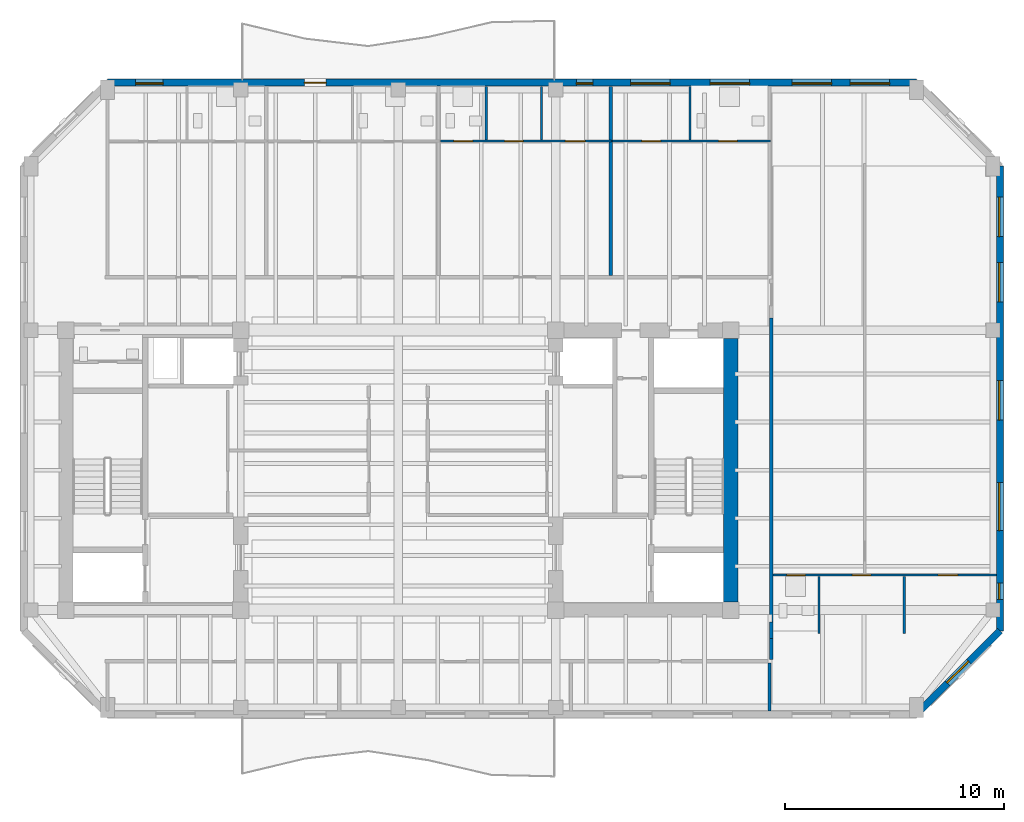
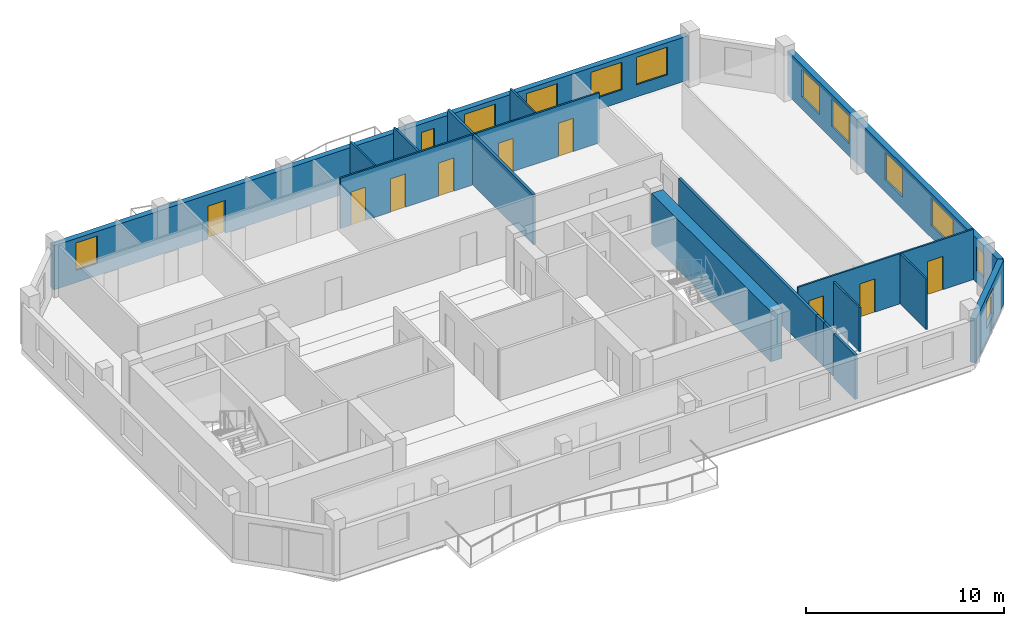
# One storey, part 5 of 9: 17 walls, 12 windows, 9 doors, 21 openings.
"""IFC4 building model written with IfcOpenShell, lengths in metres."""

from ifc_helpers import new_model, si_unit, direction, frame, frame_2d, origin, place, context, subcontext, project, spatial, rectangle, extrude, material, layer, layer_set, type_object, element, fill, save


model = new_model("IFC4")

# Units and contexts
model_context = context("Model", 3, precision=1e-05, world=origin(), true_north=direction((0.0, 1.0)))
body_context = subcontext(model_context, "Body", "Model", "MODEL_VIEW")
ifc_project = project(units=[si_unit("LENGTHUNIT", "METRE"), si_unit("AREAUNIT", "SQUARE_METRE"), si_unit("VOLUMEUNIT", "CUBIC_METRE"), si_unit("PLANEANGLEUNIT", "RADIAN"), si_unit("MASSUNIT", "GRAM", prefix="KILO")], contexts=[model_context])

# Site, building, storey
site_placement = place(None, origin())
site = spatial("IfcSite", under=ifc_project, at=site_placement, CompositionType="ELEMENT")
building_placement = place(site_placement, origin())
building = spatial("IfcBuilding", under=site, at=building_placement, Name="Kranthara Brick Stack", CompositionType="ELEMENT")
storey_placement = place(building_placement, frame((0.0, 0.0, 261.89990234375)))
storey = spatial("IfcBuildingStorey", under=building, at=storey_placement, Name="L69", CompositionType="ELEMENT", Elevation=261.89990234375)

# Wall, openings, door, windows
ifc_material_1 = material(Name="Warm buff clay brick masonry M15", Category="masonry")
ifc_layer_1 = layer(ifc_material_1, 0.320068359375)
ifc_layer_set_1 = layer_set([ifc_layer_1], Name="Warm buff clay brick masonry M15")
wall_type_1 = type_object("IfcWallType", Name="WL-BRK-UPPR-320", PredefinedType="STANDARD", material=ifc_layer_set_1)
wall_1_placement = place(storey_placement, frame((14.699951171875, 44.919921875, 0.0), z_axis=(0.0, 0.0, 1.0), x_axis=(1.0, 0.0, 0.0)))
wall_1 = element("IfcWall", 1, at=wall_1_placement, inside=storey, type_object=wall_type_1, Name="L69 Exterior Brick Facade Wall NORTH 1", PredefinedType="STANDARD", context=body_context, shape_type="SweptSolid", body=[
    extrude(rectangle(XDim=37.0, YDim=0.320068359375, at=frame_2d((18.5, 0.0))), origin(), (0.0, 0.0, 1.0), 2.72509765625),
])
opening_1_placement = place(wall_1_placement, frame((9.0, 0.0, 0.0)))
opening_1 = element("IfcOpeningElement", 2, at=opening_1_placement, cuts=wall_1, Name="Opening D03", PredefinedType="OPENING", context=body_context, shape_type="SweptSolid", body=[
    extrude(rectangle(XDim=1.0, YDim=2.02001953125, at=frame_2d((0.5, 1.010009765625))), frame((0.0, 0.169921875, 0.0), z_axis=(0.0, -1.0, 0.0), x_axis=(1.0, 0.0, 0.0)), (0.0, 0.0, 1.0), 0.340087890625),
])
opening_2_placement = place(wall_1_placement, frame((1.2919921875, 0.0, 0.75)))
opening_2 = element("IfcOpeningElement", 3, at=opening_2_placement, cuts=wall_1, Name="Opening WN09", PredefinedType="OPENING", context=body_context, shape_type="SweptSolid", body=[
    extrude(rectangle(XDim=1.25, YDim=1.699951171875, at=frame_2d((0.625, 0.85009765625))), frame((0.0, 0.169921875, 0.0), z_axis=(0.0, -1.0, 0.0), x_axis=(1.0, 0.0, 0.0)), (0.0, 0.0, 1.0), 0.340087890625),
])
opening_3_placement = place(wall_1_placement, frame((23.929931640625, 0.0, 0.75)))
opening_3 = element("IfcOpeningElement", 4, at=opening_3_placement, cuts=wall_1, Name="Opening WN07", PredefinedType="OPENING", context=body_context, shape_type="SweptSolid", body=[
    extrude(rectangle(XDim=1.800048828125, YDim=1.699951171875, at=frame_2d((0.89990234375, 0.85009765625))), frame((0.0, 0.169921875, 0.0), z_axis=(0.0, -1.0, 0.0), x_axis=(1.0, 0.0, 0.0)), (0.0, 0.0, 1.0), 0.340087890625),
])
opening_4_placement = place(wall_1_placement, frame((27.56298828125, 0.0, 0.75)))
opening_4 = element("IfcOpeningElement", 5, at=opening_4_placement, cuts=wall_1, Name="Opening WN07", PredefinedType="OPENING", context=body_context, shape_type="SweptSolid", body=[
    extrude(rectangle(XDim=1.800048828125, YDim=1.699951171875, at=frame_2d((0.89990234375, 0.85009765625))), frame((0.0, 0.169921875, 0.0), z_axis=(0.0, -1.0, 0.0), x_axis=(1.0, 0.0, 0.0)), (0.0, 0.0, 1.0), 0.340087890625),
])
opening_5_placement = place(wall_1_placement, frame((31.31494140625, 0.0, 0.75)))
opening_5 = element("IfcOpeningElement", 6, at=opening_5_placement, cuts=wall_1, Name="Opening WN07", PredefinedType="OPENING", context=body_context, shape_type="SweptSolid", body=[
    extrude(rectangle(XDim=1.800048828125, YDim=1.699951171875, at=frame_2d((0.89990234375, 0.85009765625))), frame((0.0, 0.169921875, 0.0), z_axis=(0.0, -1.0, 0.0), x_axis=(1.0, 0.0, 0.0)), (0.0, 0.0, 1.0), 0.340087890625),
])
opening_6_placement = place(wall_1_placement, frame((33.965087890625, 0.0, 0.75)))
opening_6 = element("IfcOpeningElement", 7, at=opening_6_placement, cuts=wall_1, Name="Opening WN07", PredefinedType="OPENING", context=body_context, shape_type="SweptSolid", body=[
    extrude(rectangle(XDim=1.800048828125, YDim=1.699951171875, at=frame_2d((0.89990234375, 0.85009765625))), frame((0.0, 0.169921875, 0.0), z_axis=(0.0, -1.0, 0.0), x_axis=(1.0, 0.0, 0.0)), (0.0, 0.0, 1.0), 0.340087890625),
])
opening_7_placement = place(wall_1_placement, frame((21.444091796875, 0.0, 0.75)))
opening_7 = element("IfcOpeningElement", 8, at=opening_7_placement, cuts=wall_1, Name="Opening WN13", PredefinedType="OPENING", context=body_context, shape_type="SweptSolid", body=[
    extrude(rectangle(XDim=0.75, YDim=1.449951171875, at=frame_2d((0.375, 0.72509765625))), frame((0.0, 0.169921875, 0.0), z_axis=(0.0, -1.0, 0.0), x_axis=(1.0, 0.0, 0.0)), (0.0, 0.0, 1.0), 0.340087890625),
])
ifc_material_2 = material(Name="Bronze anodised aluminium and laminated glass", Category="aluminium")
door_type_1 = type_object("IfcDoorType", Name="DR-BALC-1000", OperationType="NOTDEFINED", PredefinedType="DOOR", material=ifc_material_2)
door_1_placement = place(opening_1_placement, origin())
door_1 = element("IfcDoor", 9, at=door_1_placement, inside=storey, type_object=door_type_1, Name="L69 North Balcony Terrace Door", OperationType="SINGLE_SWING_RIGHT", OverallHeight=2.02001953125, OverallWidth=1.0, PredefinedType="DOOR", context=body_context, shape_type="SweptSolid", body=[
    extrude(rectangle(XDim=1.0, YDim=2.02001953125, at=frame_2d((0.5, 1.010009765625))), frame((0.0, 0.02490234375, 0.0), z_axis=(0.0, -1.0, 0.0), x_axis=(1.0, 0.0, 0.0)), (0.0, 0.0, 1.0), 0.050048828125),
])
fill(opening_1, door_1)
ifc_material_3 = material(Name="Double-glazed low-E solar control glass", Category="glass")
window_type_1 = type_object("IfcWindowType", Name="WN-CAS-750x1450", PartitioningType="SINGLE_PANEL", PredefinedType="WINDOW", material=ifc_material_3)
window_1_placement = place(opening_7_placement, origin())
window_1 = element("IfcWindow", 10, at=window_1_placement, inside=storey, type_object=window_type_1, Name="L69 North Deep-Set Casement Window 06", OverallHeight=1.449951171875, OverallWidth=0.75, PartitioningType="SINGLE_PANEL", PredefinedType="WINDOW", context=body_context, shape_type="SweptSolid", body=[
    extrude(rectangle(XDim=0.75, YDim=1.449951171875, at=frame_2d((0.375, 0.72509765625))), frame((0.0, -0.010009765625, 0.0), z_axis=(0.0, -1.0, 0.0), x_axis=(1.0, 0.0, 0.0)), (0.0, 0.0, 1.0), 0.06005859375),
])
fill(opening_7, window_1)
ifc_material_4 = material(Name="Double-glazed low-E solar control glass", Category="glass")
window_type_2 = type_object("IfcWindowType", Name="WN-RES-1250x1850", PartitioningType="SINGLE_PANEL", PredefinedType="WINDOW", material=ifc_material_4)
window_2_placement = place(opening_2_placement, origin())
window_2 = element("IfcWindow", 11, at=window_2_placement, inside=storey, type_object=window_type_2, Name="L69 North Deep-Set Brick Window 01", OverallHeight=1.699951171875, OverallWidth=1.25, PartitioningType="SINGLE_PANEL", PredefinedType="WINDOW", context=body_context, shape_type="SweptSolid", body=[
    extrude(rectangle(XDim=1.25, YDim=1.699951171875, at=frame_2d((0.625, 0.85009765625))), frame((0.0, -0.010009765625, 0.0), z_axis=(0.0, -1.0, 0.0), x_axis=(1.0, 0.0, 0.0)), (0.0, 0.0, 1.0), 0.06005859375),
])
fill(opening_2, window_2)
ifc_material_5 = material(Name="Double-glazed low-E solar control glass", Category="glass")
window_type_3 = type_object("IfcWindowType", Name="WN-RES-1800x1850", PartitioningType="DOUBLE_PANEL_VERTICAL", PredefinedType="WINDOW", material=ifc_material_5)
window_3_placement = place(opening_3_placement, origin())
window_3 = element("IfcWindow", 12, at=window_3_placement, inside=storey, type_object=window_type_3, Name="L69 North Deep-Set Brick Window 02", OverallHeight=1.699951171875, OverallWidth=1.800048828125, PartitioningType="SINGLE_PANEL", PredefinedType="WINDOW", context=body_context, shape_type="SweptSolid", body=[
    extrude(rectangle(XDim=1.800048828125, YDim=1.699951171875, at=frame_2d((0.89990234375, 0.85009765625))), frame((0.0, -0.010009765625, 0.0), z_axis=(0.0, -1.0, 0.0), x_axis=(1.0, 0.0, 0.0)), (0.0, 0.0, 1.0), 0.06005859375),
])
fill(opening_3, window_3)
window_4_placement = place(opening_4_placement, origin())
window_4 = element("IfcWindow", 13, at=window_4_placement, inside=storey, type_object=window_type_3, Name="L69 North Deep-Set Brick Window 03", OverallHeight=1.699951171875, OverallWidth=1.800048828125, PartitioningType="SINGLE_PANEL", PredefinedType="WINDOW", context=body_context, shape_type="SweptSolid", body=[
    extrude(rectangle(XDim=1.800048828125, YDim=1.699951171875, at=frame_2d((0.89990234375, 0.85009765625))), frame((0.0, -0.010009765625, 0.0), z_axis=(0.0, -1.0, 0.0), x_axis=(1.0, 0.0, 0.0)), (0.0, 0.0, 1.0), 0.06005859375),
])
fill(opening_4, window_4)
window_5_placement = place(opening_5_placement, origin())
window_5 = element("IfcWindow", 14, at=window_5_placement, inside=storey, type_object=window_type_3, Name="L69 North Deep-Set Brick Window 04", OverallHeight=1.699951171875, OverallWidth=1.800048828125, PartitioningType="SINGLE_PANEL", PredefinedType="WINDOW", context=body_context, shape_type="SweptSolid", body=[
    extrude(rectangle(XDim=1.800048828125, YDim=1.699951171875, at=frame_2d((0.89990234375, 0.85009765625))), frame((0.0, -0.010009765625, 0.0), z_axis=(0.0, -1.0, 0.0), x_axis=(1.0, 0.0, 0.0)), (0.0, 0.0, 1.0), 0.06005859375),
])
fill(opening_5, window_5)
window_6_placement = place(opening_6_placement, origin())
window_6 = element("IfcWindow", 15, at=window_6_placement, inside=storey, type_object=window_type_3, Name="L69 North Deep-Set Brick Window 05", OverallHeight=1.699951171875, OverallWidth=1.800048828125, PartitioningType="SINGLE_PANEL", PredefinedType="WINDOW", context=body_context, shape_type="SweptSolid", body=[
    extrude(rectangle(XDim=1.800048828125, YDim=1.699951171875, at=frame_2d((0.89990234375, 0.85009765625))), frame((0.0, -0.010009765625, 0.0), z_axis=(0.0, -1.0, 0.0), x_axis=(1.0, 0.0, 0.0)), (0.0, 0.0, 1.0), 0.06005859375),
])
fill(opening_6, window_6)

# Wall, openings, windows
wall_2_placement = place(storey_placement, frame((55.52001953125, 41.10009765625, 0.0), z_axis=(0.0, 0.0, 1.0), x_axis=(0.0, -1.0, 0.0)))
wall_2 = element("IfcWall", 16, at=wall_2_placement, inside=storey, type_object=wall_type_1, Name="L69 Exterior Brick Facade Wall EAST 1", PredefinedType="STANDARD", context=body_context, shape_type="SweptSolid", body=[
    extrude(rectangle(XDim=21.25, YDim=0.320068359375, at=frame_2d((10.625, 0.0))), origin(), (0.0, 0.0, 1.0), 2.72509765625),
])
opening_8_placement = place(wall_2_placement, frame((1.4189453125, 0.0, 0.75)))
opening_8 = element("IfcOpeningElement", 17, at=opening_8_placement, cuts=wall_2, Name="Opening WN07", PredefinedType="OPENING", context=body_context, shape_type="SweptSolid", body=[
    extrude(rectangle(XDim=1.800048828125, YDim=1.699951171875, at=frame_2d((0.89990234375, 0.85009765625))), frame((0.0, 0.169921875, 0.0), z_axis=(0.0, -1.0, 0.0), x_axis=(1.0, 0.0, 0.0)), (0.0, 0.0, 1.0), 0.340087890625),
])
opening_9_placement = place(wall_2_placement, frame((4.406005859375, 0.0, 0.75)))
opening_9 = element("IfcOpeningElement", 18, at=opening_9_placement, cuts=wall_2, Name="Opening WN07", PredefinedType="OPENING", context=body_context, shape_type="SweptSolid", body=[
    extrude(rectangle(XDim=1.800048828125, YDim=1.699951171875, at=frame_2d((0.89990234375, 0.85009765625))), frame((0.0, 0.169921875, 0.0), z_axis=(0.0, -1.0, 0.0), x_axis=(1.0, 0.0, 0.0)), (0.0, 0.0, 1.0), 0.340087890625),
])
opening_10_placement = place(wall_2_placement, frame((9.806884765625, 0.0, 0.75)))
opening_10 = element("IfcOpeningElement", 19, at=opening_10_placement, cuts=wall_2, Name="Opening WN07", PredefinedType="OPENING", context=body_context, shape_type="SweptSolid", body=[
    extrude(rectangle(XDim=1.800048828125, YDim=1.699951171875, at=frame_2d((0.89990234375, 0.85009765625))), frame((0.0, 0.169921875, 0.0), z_axis=(0.0, -1.0, 0.0), x_axis=(1.0, 0.0, 0.0)), (0.0, 0.0, 1.0), 0.340087890625),
])
opening_11_placement = place(wall_2_placement, frame((14.468017578125, 0.0, 0.75)))
opening_11 = element("IfcOpeningElement", 20, at=opening_11_placement, cuts=wall_2, Name="Opening WN08", PredefinedType="OPENING", context=body_context, shape_type="SweptSolid", body=[
    extrude(rectangle(XDim=2.199951171875, YDim=1.699951171875, at=frame_2d((1.10009765625, 0.85009765625))), frame((0.0, 0.169921875, 0.0), z_axis=(0.0, -1.0, 0.0), x_axis=(1.0, 0.0, 0.0)), (0.0, 0.0, 1.0), 0.340087890625),
])
opening_12_placement = place(wall_2_placement, frame((19.06201171875, 0.0, 0.75)))
opening_12 = element("IfcOpeningElement", 21, at=opening_12_placement, cuts=wall_2, Name="Opening WN13", PredefinedType="OPENING", context=body_context, shape_type="SweptSolid", body=[
    extrude(rectangle(XDim=0.75, YDim=1.449951171875, at=frame_2d((0.375, 0.72509765625))), frame((0.0, 0.169921875, 0.0), z_axis=(0.0, -1.0, 0.0), x_axis=(1.0, 0.0, 0.0)), (0.0, 0.0, 1.0), 0.340087890625),
])
window_7_placement = place(opening_12_placement, origin())
window_7 = element("IfcWindow", 22, at=window_7_placement, inside=storey, type_object=window_type_1, Name="L69 East Deep-Set Casement Window 05", OverallHeight=1.449951171875, OverallWidth=0.75, PartitioningType="SINGLE_PANEL", PredefinedType="WINDOW", context=body_context, shape_type="SweptSolid", body=[
    extrude(rectangle(XDim=0.75, YDim=1.449951171875, at=frame_2d((0.375, 0.72509765625))), frame((0.0, -0.010009765625, 0.0), z_axis=(0.0, -1.0, 0.0), x_axis=(1.0, 0.0, 0.0)), (0.0, 0.0, 1.0), 0.06005859375),
])
fill(opening_12, window_7)
window_8_placement = place(opening_8_placement, origin())
window_8 = element("IfcWindow", 23, at=window_8_placement, inside=storey, type_object=window_type_3, Name="L69 East Deep-Set Brick Window 01", OverallHeight=1.699951171875, OverallWidth=1.800048828125, PartitioningType="SINGLE_PANEL", PredefinedType="WINDOW", context=body_context, shape_type="SweptSolid", body=[
    extrude(rectangle(XDim=1.800048828125, YDim=1.699951171875, at=frame_2d((0.89990234375, 0.85009765625))), frame((0.0, -0.010009765625, 0.0), z_axis=(0.0, -1.0, 0.0), x_axis=(1.0, 0.0, 0.0)), (0.0, 0.0, 1.0), 0.06005859375),
])
fill(opening_8, window_8)
window_9_placement = place(opening_9_placement, origin())
window_9 = element("IfcWindow", 24, at=window_9_placement, inside=storey, type_object=window_type_3, Name="L69 East Deep-Set Brick Window 02", OverallHeight=1.699951171875, OverallWidth=1.800048828125, PartitioningType="SINGLE_PANEL", PredefinedType="WINDOW", context=body_context, shape_type="SweptSolid", body=[
    extrude(rectangle(XDim=1.800048828125, YDim=1.699951171875, at=frame_2d((0.89990234375, 0.85009765625))), frame((0.0, -0.010009765625, 0.0), z_axis=(0.0, -1.0, 0.0), x_axis=(1.0, 0.0, 0.0)), (0.0, 0.0, 1.0), 0.06005859375),
])
fill(opening_9, window_9)
window_10_placement = place(opening_10_placement, origin())
window_10 = element("IfcWindow", 25, at=window_10_placement, inside=storey, type_object=window_type_3, Name="L69 East Deep-Set Brick Window 03", OverallHeight=1.699951171875, OverallWidth=1.800048828125, PartitioningType="SINGLE_PANEL", PredefinedType="WINDOW", context=body_context, shape_type="SweptSolid", body=[
    extrude(rectangle(XDim=1.800048828125, YDim=1.699951171875, at=frame_2d((0.89990234375, 0.85009765625))), frame((0.0, -0.010009765625, 0.0), z_axis=(0.0, -1.0, 0.0), x_axis=(1.0, 0.0, 0.0)), (0.0, 0.0, 1.0), 0.06005859375),
])
fill(opening_10, window_10)
ifc_material_6 = material(Name="Double-glazed low-E solar control glass", Category="glass")
window_type_4 = type_object("IfcWindowType", Name="WN-RES-2200x1850", PartitioningType="TRIPLE_PANEL_VERTICAL", PredefinedType="WINDOW", material=ifc_material_6)
window_11_placement = place(opening_11_placement, origin())
window_11 = element("IfcWindow", 26, at=window_11_placement, inside=storey, type_object=window_type_4, Name="L69 East Deep-Set Brick Window 04", OverallHeight=1.699951171875, OverallWidth=2.199951171875, PartitioningType="SINGLE_PANEL", PredefinedType="WINDOW", context=body_context, shape_type="SweptSolid", body=[
    extrude(rectangle(XDim=2.199951171875, YDim=1.699951171875, at=frame_2d((1.10009765625, 0.85009765625))), frame((0.0, -0.010009765625, 0.0), z_axis=(0.0, -1.0, 0.0), x_axis=(1.0, 0.0, 0.0)), (0.0, 0.0, 1.0), 0.06005859375),
])
fill(opening_11, window_11)

# Wall, opening, window
wall_3_placement = place(storey_placement, frame((55.52001953125, 19.85009765625, 0.0), z_axis=(0.0, 0.0, 1.0), x_axis=(-0.707106781187, -0.707106781187, 0.0)))
wall_3 = element("IfcWall", 27, at=wall_3_placement, inside=storey, type_object=wall_type_1, Name="L69 Exterior Brick Facade Wall SE 1", PredefinedType="STANDARD", context=body_context, shape_type="SweptSolid", body=[
    extrude(rectangle(XDim=5.40234375, YDim=0.320068359375, at=frame_2d((2.701171875, 0.0))), origin(), (0.0, 0.0, 1.0), 2.72509765625),
])
opening_13_placement = place(wall_3_placement, frame((2.0009765625, 0.0, 0.75)))
opening_13 = element("IfcOpeningElement", 28, at=opening_13_placement, cuts=wall_3, Name="Opening WN10", PredefinedType="OPENING", context=body_context, shape_type="SweptSolid", body=[
    extrude(rectangle(XDim=1.39990234375, YDim=1.64990234375, at=frame_2d((0.699951171875, 0.824951171875))), frame((0.0, 0.169921875, 0.0), z_axis=(0.0, -1.0, 0.0), x_axis=(1.0, 0.0, 0.0)), (0.0, 0.0, 1.0), 0.340087890625),
])
ifc_material_7 = material(Name="Double-glazed low-E solar control glass", Category="glass")
window_type_5 = type_object("IfcWindowType", Name="WN-CHM-1400x1750", PartitioningType="SINGLE_PANEL", PredefinedType="WINDOW", material=ifc_material_7)
window_12_placement = place(opening_13_placement, origin())
window_12 = element("IfcWindow", 29, at=window_12_placement, inside=storey, type_object=window_type_5, Name="L69 SE Chamfer Corner Window", OverallHeight=1.64990234375, OverallWidth=1.39990234375, PartitioningType="SINGLE_PANEL", PredefinedType="WINDOW", context=body_context, shape_type="SweptSolid", body=[
    extrude(rectangle(XDim=1.39990234375, YDim=1.64990234375, at=frame_2d((0.699951171875, 0.824951171875))), frame((0.0, -0.010009765625, 0.0), z_axis=(0.0, -1.0, 0.0), x_axis=(1.0, 0.0, 0.0)), (0.0, 0.0, 1.0), 0.06005859375),
])
fill(opening_13, window_12)

# Wall
ifc_material_8 = material(Name="Concrete C60/75", Category="concrete")
ifc_layer_2 = layer(ifc_material_8, 0.64990234375)
ifc_layer_set_2 = layer_set([ifc_layer_2], Name="Concrete C60/75")
wall_type_2 = type_object("IfcWallType", Name="WL-CORE-650", PredefinedType="SHEAR", material=ifc_layer_set_2)
wall_4_placement = place(storey_placement, frame((43.199951171875, 21.179931640625, 0.0), z_axis=(0.0, 0.0, 1.0), x_axis=(0.0, 1.0, 0.0)))
element("IfcWall", 30, at=wall_4_placement, inside=storey, type_object=wall_type_2, Name="L69 East Core Shear Wall East", PredefinedType="SHEAR", context=body_context, shape_type="SweptSolid", body=[
    extrude(rectangle(XDim=12.0400390625, YDim=0.64990234375, at=frame_2d((6.02001953125, 0.0))), origin(), (0.0, 0.0, 1.0), 3.10009765625),
])

# Wall, openings, doors
ifc_material_9 = material(Name="Moisture-resistant wet-room partition", Category="other")
ifc_layer_3 = layer(ifc_material_9, 0.10009765625)
ifc_layer_set_3 = layer_set([ifc_layer_3], Name="Moisture-resistant wet-room partition")
wall_type_3 = type_object("IfcWallType", Name="WL-PART-100", PredefinedType="PARTITIONING", material=ifc_layer_set_3)
wall_5_placement = place(storey_placement, frame((29.919921875, 42.25, 0.0), z_axis=(0.0, 0.0, 1.0), x_axis=(1.0, 0.0, 0.0)))
wall_5 = element("IfcWall", 31, at=wall_5_placement, inside=storey, type_object=wall_type_3, Name="L69 Interior Partition 025", PredefinedType="PARTITIONING", context=body_context, shape_type="SweptSolid", body=[
    extrude(rectangle(XDim=7.8330078125, YDim=0.10009765625, at=frame_2d((3.91650390625, 0.0))), origin(), (0.0, 0.0, 1.0), 3.10009765625),
])
opening_14_placement = place(wall_5_placement, frame((0.625, 0.0, 0.0)))
opening_14 = element("IfcOpeningElement", 32, at=opening_14_placement, cuts=wall_5, Name="Opening D17", PredefinedType="OPENING", context=body_context, shape_type="SweptSolid", body=[
    extrude(rectangle(XDim=0.85009765625, YDim=2.050048828125, at=frame_2d((0.425048828125, 1.02490234375))), frame((0.0, 0.06005859375, 0.0), z_axis=(0.0, -1.0, 0.0), x_axis=(1.0, 0.0, 0.0)), (0.0, 0.0, 1.0), 0.1201171875),
])
opening_15_placement = place(wall_5_placement, frame((2.93896484375, 0.0, 0.0)))
opening_15 = element("IfcOpeningElement", 33, at=opening_15_placement, cuts=wall_5, Name="Opening D16", PredefinedType="OPENING", context=body_context, shape_type="SweptSolid", body=[
    extrude(rectangle(XDim=0.85009765625, YDim=2.050048828125, at=frame_2d((0.425048828125, 1.02490234375))), frame((0.0, 0.06005859375, 0.0), z_axis=(0.0, -1.0, 0.0), x_axis=(1.0, 0.0, 0.0)), (0.0, 0.0, 1.0), 0.1201171875),
])
opening_16_placement = place(wall_5_placement, frame((5.719970703125, 0.0, 0.0)))
opening_16 = element("IfcOpeningElement", 34, at=opening_16_placement, cuts=wall_5, Name="Opening D15", PredefinedType="OPENING", context=body_context, shape_type="SweptSolid", body=[
    extrude(rectangle(XDim=0.89990234375, YDim=2.050048828125, at=frame_2d((0.449951171875, 1.02490234375))), frame((0.0, 0.06005859375, 0.0), z_axis=(0.0, -1.0, 0.0), x_axis=(1.0, 0.0, 0.0)), (0.0, 0.0, 1.0), 0.1201171875),
])
ifc_material_10 = material(Name="Solid-core hardwood timber leaf in steel frame", Category="steel")
door_type_2 = type_object("IfcDoorType", Name="DR-INT-850", OperationType="NOTDEFINED", PredefinedType="DOOR", material=ifc_material_10)
door_2_placement = place(opening_15_placement, origin())
door_2 = element("IfcDoor", 35, at=door_2_placement, inside=storey, type_object=door_type_2, Name="L69 Unit L69C Kitchen 21", OperationType="SINGLE_SWING_LEFT", OverallHeight=2.050048828125, OverallWidth=0.85009765625, PredefinedType="DOOR", context=body_context, shape_type="SweptSolid", body=[
    extrude(rectangle(XDim=0.85009765625, YDim=2.050048828125, at=frame_2d((0.425048828125, 1.02490234375))), frame((0.0, 0.02490234375, 0.0), z_axis=(0.0, -1.0, 0.0), x_axis=(1.0, 0.0, 0.0)), (0.0, 0.0, 1.0), 0.050048828125),
])
fill(opening_15, door_2)
ifc_material_11 = material(Name="Solid-core hardwood timber leaf in steel frame", Category="steel")
door_type_3 = type_object("IfcDoorType", Name="DR-INT-900", OperationType="NOTDEFINED", PredefinedType="DOOR", material=ifc_material_11)
door_3_placement = place(opening_16_placement, origin())
door_3 = element("IfcDoor", 36, at=door_3_placement, inside=storey, type_object=door_type_3, Name="L69 Unit L69C Bedroom 22", OperationType="SINGLE_SWING_RIGHT", OverallHeight=2.050048828125, OverallWidth=0.89990234375, PredefinedType="DOOR", context=body_context, shape_type="SweptSolid", body=[
    extrude(rectangle(XDim=0.89990234375, YDim=2.050048828125, at=frame_2d((0.449951171875, 1.02490234375))), frame((0.0, 0.02490234375, 0.0), z_axis=(0.0, -1.0, 0.0), x_axis=(1.0, 0.0, 0.0)), (0.0, 0.0, 1.0), 0.050048828125),
])
fill(opening_16, door_3)
ifc_material_12 = material(Name="Solid-core hardwood timber leaf in steel frame", Category="steel")
door_type_4 = type_object("IfcDoorType", Name="DR-WET-850", OperationType="NOTDEFINED", PredefinedType="DOOR", material=ifc_material_12)
door_4_placement = place(opening_14_placement, origin())
door_4 = element("IfcDoor", 37, at=door_4_placement, inside=storey, type_object=door_type_4, Name="L69 Unit L69C Bathroom 20", OperationType="SINGLE_SWING_RIGHT", OverallHeight=2.050048828125, OverallWidth=0.85009765625, PredefinedType="DOOR", context=body_context, shape_type="SweptSolid", body=[
    extrude(rectangle(XDim=0.85009765625, YDim=2.050048828125, at=frame_2d((0.425048828125, 1.02490234375))), frame((0.0, 0.02490234375, 0.0), z_axis=(0.0, -1.0, 0.0), x_axis=(1.0, 0.0, 0.0)), (0.0, 0.0, 1.0), 0.050048828125),
])
fill(opening_14, door_4)

# Walls
for number, where, z_axis, x_axis, name in (
    (38, (32.02001953125, 42.304931640625, 0.0), (0.0, 0.0, 1.0), (0.0, 1.0, 0.0), "L69 Interior Partition 026"),
    (39, (34.548095703125, 42.304931640625, 0.0), (0.0, 0.0, 1.0), (0.0, 1.0, 0.0), "L69 Interior Partition 027"),
):
    element("IfcWall", number, at=place(storey_placement, frame(where, z_axis=z_axis, x_axis=x_axis)), inside=storey, type_object=wall_type_3, Name=name, PredefinedType="PARTITIONING", context=body_context, shape_type="SweptSolid", body=[
        extrude(rectangle(XDim=2.449951171875, YDim=0.10009765625, at=frame_2d((1.22509765625, 0.0))), origin(), (0.0, 0.0, 1.0), 3.10009765625),
    ])

# Wall, openings, doors
wall_6_placement = place(storey_placement, frame((37.79296875, 42.25, 0.0), z_axis=(0.0, 0.0, 1.0), x_axis=(1.0, 0.0, 0.0)))
wall_6 = element("IfcWall", 40, at=wall_6_placement, inside=storey, type_object=wall_type_3, Name="L69 Interior Partition 029", PredefinedType="PARTITIONING", context=body_context, shape_type="SweptSolid", body=[
    extrude(rectangle(XDim=7.22705078125, YDim=0.10009765625, at=frame_2d((3.613525390625, 0.0))), origin(), (0.0, 0.0, 1.0), 3.10009765625),
])
opening_17_placement = place(wall_6_placement, frame((1.35205078125, 0.0, 0.0)))
opening_17 = element("IfcOpeningElement", 41, at=opening_17_placement, cuts=wall_6, Name="Opening D16", PredefinedType="OPENING", context=body_context, shape_type="SweptSolid", body=[
    extrude(rectangle(XDim=0.85009765625, YDim=2.050048828125, at=frame_2d((0.425048828125, 1.02490234375))), frame((0.0, 0.06005859375, 0.0), z_axis=(0.0, -1.0, 0.0), x_axis=(1.0, 0.0, 0.0)), (0.0, 0.0, 1.0), 0.1201171875),
])
opening_18_placement = place(wall_6_placement, frame((4.85498046875, 0.0, 0.0)))
opening_18 = element("IfcOpeningElement", 42, at=opening_18_placement, cuts=wall_6, Name="Opening D17", PredefinedType="OPENING", context=body_context, shape_type="SweptSolid", body=[
    extrude(rectangle(XDim=0.85009765625, YDim=2.050048828125, at=frame_2d((0.425048828125, 1.02490234375))), frame((0.0, 0.06005859375, 0.0), z_axis=(0.0, -1.0, 0.0), x_axis=(1.0, 0.0, 0.0)), (0.0, 0.0, 1.0), 0.1201171875),
])
door_5_placement = place(opening_17_placement, origin())
door_5 = element("IfcDoor", 43, at=door_5_placement, inside=storey, type_object=door_type_2, Name="L69 Unit L69D Kitchen 24", OperationType="SINGLE_SWING_RIGHT", OverallHeight=2.050048828125, OverallWidth=0.85009765625, PredefinedType="DOOR", context=body_context, shape_type="SweptSolid", body=[
    extrude(rectangle(XDim=0.85009765625, YDim=2.050048828125, at=frame_2d((0.425048828125, 1.02490234375))), frame((0.0, 0.02490234375, 0.0), z_axis=(0.0, -1.0, 0.0), x_axis=(1.0, 0.0, 0.0)), (0.0, 0.0, 1.0), 0.050048828125),
])
fill(opening_17, door_5)
door_6_placement = place(opening_18_placement, origin())
door_6 = element("IfcDoor", 44, at=door_6_placement, inside=storey, type_object=door_type_4, Name="L69 Unit L69D Bathroom 25", OperationType="SINGLE_SWING_LEFT", OverallHeight=2.050048828125, OverallWidth=0.85009765625, PredefinedType="DOOR", context=body_context, shape_type="SweptSolid", body=[
    extrude(rectangle(XDim=0.85009765625, YDim=2.050048828125, at=frame_2d((0.425048828125, 1.02490234375))), frame((0.0, 0.02490234375, 0.0), z_axis=(0.0, -1.0, 0.0), x_axis=(1.0, 0.0, 0.0)), (0.0, 0.0, 1.0), 0.050048828125),
])
fill(opening_18, door_6)

# Wall
wall_7_placement = place(storey_placement, frame((41.345947265625, 42.304931640625, 0.0), z_axis=(0.0, 0.0, 1.0), x_axis=(0.0, 1.0, 0.0)))
element("IfcWall", 45, at=wall_7_placement, inside=storey, type_object=wall_type_3, Name="L69 Interior Partition 030", PredefinedType="PARTITIONING", context=body_context, shape_type="SweptSolid", body=[
    extrude(rectangle(XDim=2.449951171875, YDim=0.10009765625, at=frame_2d((1.22509765625, 0.0))), origin(), (0.0, 0.0, 1.0), 3.10009765625),
])

# Wall, openings, doors
wall_8_placement = place(storey_placement, frame((45.1298828125, 22.39990234375, 0.0), z_axis=(0.0, 0.0, 1.0), x_axis=(1.0, 0.0, 0.0)))
wall_8 = element("IfcWall", 46, at=wall_8_placement, inside=storey, type_object=wall_type_3, Name="L69 Interior Partition 037", PredefinedType="PARTITIONING", context=body_context, shape_type="SweptSolid", body=[
    extrude(rectangle(XDim=10.22509765625, YDim=0.10009765625, at=frame_2d((5.112548828125, 0.0))), origin(), (0.0, 0.0, 1.0), 3.10009765625),
])
opening_19_placement = place(wall_8_placement, frame((0.635009765625, 0.0, 0.0)))
opening_19 = element("IfcOpeningElement", 47, at=opening_19_placement, cuts=wall_8, Name="Opening D17", PredefinedType="OPENING", context=body_context, shape_type="SweptSolid", body=[
    extrude(rectangle(XDim=0.85009765625, YDim=2.050048828125, at=frame_2d((0.425048828125, 1.02490234375))), frame((0.0, 0.06005859375, 0.0), z_axis=(0.0, -1.0, 0.0), x_axis=(1.0, 0.0, 0.0)), (0.0, 0.0, 1.0), 0.1201171875),
])
opening_20_placement = place(wall_8_placement, frame((3.632080078125, 0.0, 0.0)))
opening_20 = element("IfcOpeningElement", 48, at=opening_20_placement, cuts=wall_8, Name="Opening D16", PredefinedType="OPENING", context=body_context, shape_type="SweptSolid", body=[
    extrude(rectangle(XDim=0.85009765625, YDim=2.050048828125, at=frame_2d((0.425048828125, 1.02490234375))), frame((0.0, 0.06005859375, 0.0), z_axis=(0.0, -1.0, 0.0), x_axis=(1.0, 0.0, 0.0)), (0.0, 0.0, 1.0), 0.1201171875),
])
opening_21_placement = place(wall_8_placement, frame((7.552001953125, 0.0, 0.0)))
opening_21 = element("IfcOpeningElement", 49, at=opening_21_placement, cuts=wall_8, Name="Opening D15", PredefinedType="OPENING", context=body_context, shape_type="SweptSolid", body=[
    extrude(rectangle(XDim=0.89990234375, YDim=2.050048828125, at=frame_2d((0.449951171875, 1.02490234375))), frame((0.0, 0.06005859375, 0.0), z_axis=(0.0, -1.0, 0.0), x_axis=(1.0, 0.0, 0.0)), (0.0, 0.0, 1.0), 0.1201171875),
])
door_7_placement = place(opening_20_placement, origin())
door_7 = element("IfcDoor", 50, at=door_7_placement, inside=storey, type_object=door_type_2, Name="L69 Unit L69E Kitchen 29", OperationType="SINGLE_SWING_LEFT", OverallHeight=2.050048828125, OverallWidth=0.85009765625, PredefinedType="DOOR", context=body_context, shape_type="SweptSolid", body=[
    extrude(rectangle(XDim=0.85009765625, YDim=2.050048828125, at=frame_2d((0.425048828125, 1.02490234375))), frame((0.0, 0.02490234375, 0.0), z_axis=(0.0, -1.0, 0.0), x_axis=(1.0, 0.0, 0.0)), (0.0, 0.0, 1.0), 0.050048828125),
])
fill(opening_20, door_7)
door_8_placement = place(opening_21_placement, origin())
door_8 = element("IfcDoor", 51, at=door_8_placement, inside=storey, type_object=door_type_3, Name="L69 Unit L69E Bedroom 30", OperationType="SINGLE_SWING_RIGHT", OverallHeight=2.050048828125, OverallWidth=0.89990234375, PredefinedType="DOOR", context=body_context, shape_type="SweptSolid", body=[
    extrude(rectangle(XDim=0.89990234375, YDim=2.050048828125, at=frame_2d((0.449951171875, 1.02490234375))), frame((0.0, 0.02490234375, 0.0), z_axis=(0.0, -1.0, 0.0), x_axis=(1.0, 0.0, 0.0)), (0.0, 0.0, 1.0), 0.050048828125),
])
fill(opening_21, door_8)
door_9_placement = place(opening_19_placement, origin())
door_9 = element("IfcDoor", 52, at=door_9_placement, inside=storey, type_object=door_type_4, Name="L69 Unit L69E Bathroom 28", OperationType="SINGLE_SWING_RIGHT", OverallHeight=2.050048828125, OverallWidth=0.85009765625, PredefinedType="DOOR", context=body_context, shape_type="SweptSolid", body=[
    extrude(rectangle(XDim=0.85009765625, YDim=2.050048828125, at=frame_2d((0.425048828125, 1.02490234375))), frame((0.0, 0.02490234375, 0.0), z_axis=(0.0, -1.0, 0.0), x_axis=(1.0, 0.0, 0.0)), (0.0, 0.0, 1.0), 0.050048828125),
])
fill(opening_19, door_9)

# Walls
wall_9_placement = place(storey_placement, frame((47.239990234375, 19.72998046875, 0.0), z_axis=(0.0, 0.0, 1.0), x_axis=(0.0, 1.0, 0.0)))
element("IfcWall", 53, at=wall_9_placement, inside=storey, type_object=wall_type_3, Name="L69 Interior Partition 039", PredefinedType="PARTITIONING", context=body_context, shape_type="SweptSolid", body=[
    extrude(rectangle(XDim=2.614990234375, YDim=0.10009765625, at=frame_2d((1.3076171875, 0.0))), origin(), (0.0, 0.0, 1.0), 2.72509765625),
])
wall_10_placement = place(storey_placement, frame((51.134033203125, 19.72998046875, 0.0), z_axis=(0.0, 0.0, 1.0), x_axis=(0.0, 1.0, 0.0)))
element("IfcWall", 54, at=wall_10_placement, inside=storey, type_object=wall_type_3, Name="L69 Interior Partition 040", PredefinedType="PARTITIONING", context=body_context, shape_type="SweptSolid", body=[
    extrude(rectangle(XDim=2.614990234375, YDim=0.10009765625, at=frame_2d((1.3076171875, 0.0))), origin(), (0.0, 0.0, 1.0), 3.10009765625),
])
ifc_material_13 = material(Name="Fire-rated gypsum board partition", Category="other")
ifc_layer_4 = layer(ifc_material_13, 0.14990234375)
ifc_layer_set_4 = layer_set([ifc_layer_4], Name="Fire-rated gypsum board partition")
wall_type_4 = type_object("IfcWallType", Name="WL-PART-150", PredefinedType="PARTITIONING", material=ifc_layer_set_4)
wall_11_placement = place(storey_placement, frame((44.97998046875, 16.195068359375, 0.0), z_axis=(0.0, 0.0, 1.0), x_axis=(0.0, 1.0, 0.0)))
element("IfcWall", 55, at=wall_11_placement, inside=storey, type_object=wall_type_4, Name="L69 Interior Partition 016", PredefinedType="PARTITIONING", context=body_context, shape_type="SweptSolid", body=[
    extrude(rectangle(XDim=2.184814453125, YDim=0.14990234375, at=frame_2d((1.09228515625, 0.0))), origin(), (0.0, 0.0, 1.0), 2.72509765625),
])
wall_12_placement = place(storey_placement, frame((37.712890625, 36.10009765625, 0.0), z_axis=(0.0, 0.0, 1.0), x_axis=(0.0, 1.0, 0.0)))
element("IfcWall", 56, at=wall_12_placement, inside=storey, type_object=wall_type_4, Name="L69 Interior Partition 028", PredefinedType="PARTITIONING", context=body_context, shape_type="SweptSolid", body=[
    extrude(rectangle(XDim=8.65478515625, YDim=0.14990234375, at=frame_2d((4.327392578125, 0.0))), origin(), (0.0, 0.0, 1.0), 3.10009765625),
])
wall_13_placement = place(storey_placement, frame((45.050048828125, 19.5, 0.0), z_axis=(0.0, 0.0, 1.0), x_axis=(0.0, -1.0, 0.0)))
element("IfcWall", 57, at=wall_13_placement, inside=storey, type_object=wall_type_4, Name="L69 Interior Partition 032", PredefinedType="PARTITIONING", context=body_context, shape_type="SweptSolid", body=[
    extrude(rectangle(XDim=0.9599609375, YDim=0.14990234375, at=frame_2d((0.47998046875, 0.0))), origin(), (0.0, 0.0, 1.0), 2.72509765625),
])
wall_14_placement = place(storey_placement, frame((45.050048828125, 19.510009765625, 0.0), z_axis=(0.0, 0.0, 1.0), x_axis=(0.0, 1.0, 0.0)))
element("IfcWall", 58, at=wall_14_placement, inside=storey, type_object=wall_type_4, Name="L69 Interior Partition 033", PredefinedType="PARTITIONING", context=body_context, shape_type="SweptSolid", body=[
    extrude(rectangle(XDim=0.739990234375, YDim=0.14990234375, at=frame_2d((0.3701171875, 0.0))), origin(), (0.0, 0.0, 1.0), 2.72509765625),
])
wall_15_placement = place(storey_placement, frame((45.050048828125, 20.25, 0.0), z_axis=(0.0, 0.0, 1.0), x_axis=(0.0, 1.0, 0.0)))
element("IfcWall", 59, at=wall_15_placement, inside=storey, type_object=wall_type_4, Name="L69 Interior Partition 034", PredefinedType="PARTITIONING", context=body_context, shape_type="SweptSolid", body=[
    extrude(rectangle(XDim=13.89990234375, YDim=0.14990234375, at=frame_2d((6.949951171875, 0.0))), origin(), (0.0, 0.0, 1.0), 2.72509765625),
])

save(model, "model.ifc")
